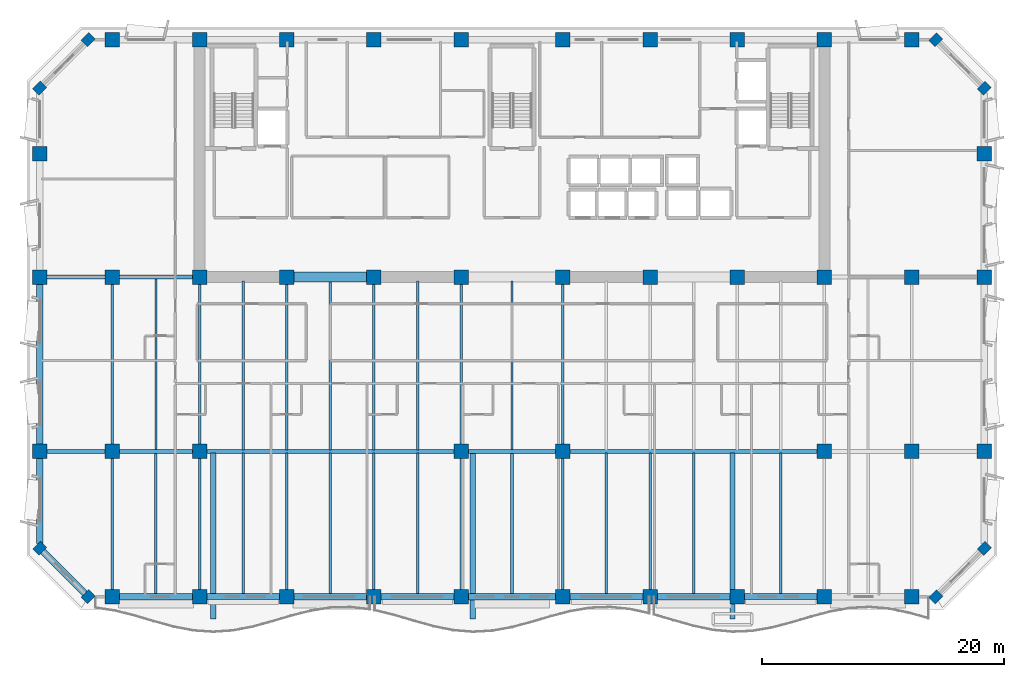
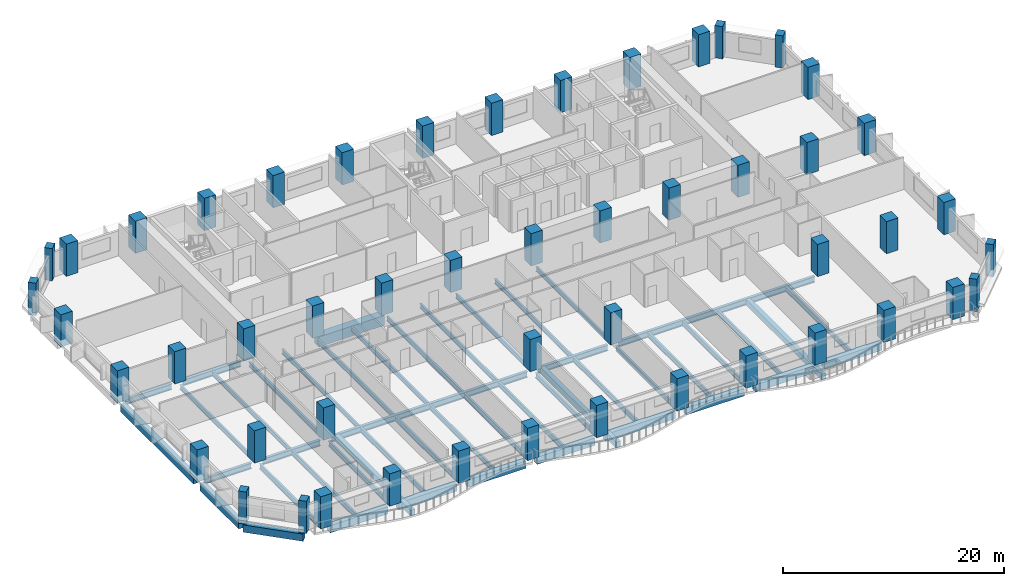
# One storey, part 1 of 15: 50 columns, 48 beams.
"""IFC4 building model written with IfcOpenShell, lengths in metres."""

import ifcopenshell
import ifcopenshell.guid

model = None  # the IFC model being written
_history = None  # IfcOwnerHistory: only IFC2X3 demands one
_inside = {}  # id of a spatial element -> (the spatial element, [elements in it])
_under = {}  # id of a project, library or spatial element -> (it, [spatial elements below it])
_declared = {}  # id of a project -> (the project, [libraries it declares])
_typed = {}  # id of a type object -> (the type object, [elements of that type])
_made_of = {}  # id of a material, layer set ... -> (it, [elements and type objects made of it])


def new_model(schema):
    """Start an empty IFC model of exactly this schema.

    Asked for "IFC4X3", IfcOpenShell would pick the latest addendum, in which some entities
    have other attributes; the version numbers below select the first issue.
    IFC2X3 requires an IfcOwnerHistory on every rooted entity: one is made here for all.
    """
    global model, _history
    if schema == "IFC4X3":
        model = ifcopenshell.file(schema_version=(4, 3, 0, 0))
    else:
        model = ifcopenshell.file(schema=schema)
    _inside.clear()
    _under.clear()
    _declared.clear()
    _typed.clear()
    _made_of.clear()
    _history = None
    if model.schema == "IFC2X3":
        org = make("IfcOrganization", Name="unknown")
        user = make(
            "IfcPersonAndOrganization",
            ThePerson=make("IfcPerson", FamilyName="unknown"),
            TheOrganization=org,
        )
        app = make(
            "IfcApplication",
            ApplicationDeveloper=org,
            Version="unknown",
            ApplicationFullName="unknown",
            ApplicationIdentifier="unknown",
        )
        _history = make(
            "IfcOwnerHistory",
            OwningUser=user,
            OwningApplication=app,
            ChangeAction="ADDED",
            CreationDate=0,
        )
    return model


def make(cls, **values):
    """One entity of the class cls with the attributes given. An attribute that is None is left unset."""
    return model.create_entity(
        cls, **{name: value for name, value in values.items() if value is not None}
    )


def rooted(cls, **values):
    """An entity with a GlobalId (a new one), such as an element, a storey or a relation."""
    return make(cls, GlobalId=ifcopenshell.guid.new(), OwnerHistory=_history, **values)


def si_unit(unit_type, name, prefix=None):
    """IfcSIUnit, for example si_unit("LENGTHUNIT", "METRE", prefix="MILLI")."""
    return make("IfcSIUnit", UnitType=unit_type, Prefix=prefix, Name=name)


def assignment(units):
    """IfcUnitAssignment: the units of a project."""
    return None if units is None else make("IfcUnitAssignment", Units=units)


def point(xyz):
    """IfcCartesianPoint."""
    return None if xyz is None else make("IfcCartesianPoint", Coordinates=xyz)


def direction(xyz):
    """IfcDirection."""
    return None if xyz is None else make("IfcDirection", DirectionRatios=xyz)


def frame(location, z_axis=None, x_axis=None):
    """IfcAxis2Placement3D, a coordinate frame: its origin and axes. An axis left out is left unset."""
    return make(
        "IfcAxis2Placement3D",
        Location=point(location),
        Axis=direction(z_axis),
        RefDirection=direction(x_axis),
    )


def frame_2d(location, x_axis=None):
    """IfcAxis2Placement2D, a coordinate frame in the plane: its origin and x axis."""
    return make(
        "IfcAxis2Placement2D", Location=point(location), RefDirection=direction(x_axis)
    )


def origin():
    """The frame at (0, 0, 0) with its axes left unset."""
    return frame((0.0, 0.0, 0.0))


def origin_2d():
    """The frame at (0, 0) in the plane with its x axis left unset."""
    return frame_2d((0.0, 0.0))


def place(relative_to, where):
    """IfcLocalPlacement: puts the frame where relative to a parent placement (None: the world)."""
    return make(
        "IfcLocalPlacement", PlacementRelTo=relative_to, RelativePlacement=where
    )


def context(
    kind, dimensions, precision=None, world=None, true_north=None, identifier=None
):
    """IfcGeometricRepresentationContext, for example the 3D "Model" context."""
    return make(
        "IfcGeometricRepresentationContext",
        ContextIdentifier=identifier,
        ContextType=kind,
        CoordinateSpaceDimension=dimensions,
        Precision=precision,
        WorldCoordinateSystem=world,
        TrueNorth=true_north,
    )


def subcontext(parent, identifier, kind, view, scale=None):
    """IfcGeometricRepresentationSubContext, for example "Body" below "Model"."""
    return make(
        "IfcGeometricRepresentationSubContext",
        ContextIdentifier=identifier,
        ContextType=kind,
        ParentContext=parent,
        TargetScale=scale,
        TargetView=view,
    )


def project(units=None, contexts=None):
    """IfcProject with its units and contexts."""
    return rooted(
        "IfcProject",
        Name="project",
        RepresentationContexts=contexts,
        UnitsInContext=assignment(units),
    )


def spatial(cls, under=None, at=None, **own):
    """A site, building, storey or space (cls), placed at a placement, below another one or the project."""
    s = rooted(cls, ObjectPlacement=at, **own)
    if under is not None:
        _under.setdefault(under.id(), (under, []))[1].append(s)
    return s


def profile(cls, at=None, kind="AREA", **sizes):
    """A parametric profile (cls). Its sizes go by their IFC names, for example OverallWidth=200.0."""
    return make(cls, ProfileType=kind, Position=at, **sizes)


def rectangle(**sizes):
    """IfcRectangleProfileDef."""
    return profile("IfcRectangleProfileDef", **sizes)


def i_section(**sizes):
    """IfcIShapeProfileDef."""
    return profile("IfcIShapeProfileDef", **sizes)


def extrude(swept, where, along, depth):
    """IfcExtrudedAreaSolid: the profile swept, set in the frame where, extruded along a direction by depth."""
    return make(
        "IfcExtrudedAreaSolid",
        SweptArea=swept,
        Position=where,
        ExtrudedDirection=direction(along),
        Depth=depth,
    )


def shape(context_of_items, identifier, shape_type, items):
    """IfcShapeRepresentation: the items that make up one representation, for example the "Body"."""
    return make(
        "IfcShapeRepresentation",
        ContextOfItems=context_of_items,
        RepresentationIdentifier=identifier,
        RepresentationType=shape_type,
        Items=items,
    )


def material(Name=None, Category=None):
    """IfcMaterial."""
    return make("IfcMaterial", Name=Name, Category=Category)


def material_profile(
    of_material, cross_section, Name=None, Category=None, Priority=None
):
    """IfcMaterialProfile: a cross section and its material."""
    return make(
        "IfcMaterialProfile",
        Name=Name,
        Material=of_material,
        Profile=cross_section,
        Priority=Priority,
        Category=Category,
    )


def profile_set(profiles, Name=None, composite=None):
    """IfcMaterialProfileSet."""
    return make(
        "IfcMaterialProfileSet",
        Name=Name,
        MaterialProfiles=profiles,
        CompositeProfile=composite,
    )


def made_of(thing, what):
    """Note that an element or type object is made of a material, layer set ...; save() writes the relation."""
    if what is not None:
        _made_of.setdefault(what.id(), (what, []))[1].append(thing)
    return thing


def type_object(cls, material=None, **own):
    """A type object (cls), such as IfcWallType, which elements share."""
    return made_of(rooted(cls, **own), material)


def element(
    cls,
    number,
    at=None,
    inside=None,
    cuts=None,
    type_object=None,
    material=None,
    context=None,
    identifier="Body",
    shape_type=None,
    held_by="IfcProductDefinitionShape",
    body=None,
    shapes=None,
    **own,
):
    """One element of the class cls, such as IfcWall. Its Tag is "e" and its number.

    at: its placement. inside: the storey or other place that contains it. cuts: it is an
    opening in that element (IfcRelVoidsElement). A single representation is given by context,
    identifier, shape_type and body (its items); several are given by shapes. held_by: the class
    of the entity that holds the representations. save() writes the other relations.
    """
    e = rooted(cls, Tag="e%d" % number, ObjectPlacement=at, **own)
    if body is not None:
        shapes = [shape(context, identifier, shape_type, body)]
    if shapes is not None:
        e.Representation = make(held_by, Representations=shapes)
    if inside is not None:
        _inside.setdefault(inside.id(), (inside, []))[1].append(e)
    if cuts is not None:
        rooted(
            "IfcRelVoidsElement", RelatingBuildingElement=cuts, RelatedOpeningElement=e
        )
    if type_object is not None:
        _typed.setdefault(type_object.id(), (type_object, []))[1].append(e)
    return made_of(e, material)


def aggregate(whole, parts):
    """IfcRelAggregates: a whole, such as a stair, and the parts it consists of."""
    return rooted("IfcRelAggregates", RelatingObject=whole, RelatedObjects=parts)


def save(model, path):
    """Write the relations noted so far, then the file.

    IfcRelAggregates (storeys below a building ...), IfcRelContainedInSpatialStructure (elements
    in a storey), IfcRelDefinesByType, IfcRelAssociatesMaterial and IfcRelDeclares: one each for
    every whole, place, type object, material and project.
    """
    for whole, parts in _under.values():
        aggregate(whole, parts)
    for where, things in _inside.values():
        rooted(
            "IfcRelContainedInSpatialStructure",
            RelatedElements=things,
            RelatingStructure=where,
        )
    for kind, things in _typed.values():
        rooted("IfcRelDefinesByType", RelatedObjects=things, RelatingType=kind)
    for what, things in _made_of.values():
        rooted("IfcRelAssociatesMaterial", RelatedObjects=things, RelatingMaterial=what)
    for by, libraries in _declared.values():
        rooted("IfcRelDeclares", RelatingContext=by, RelatedDefinitions=libraries)
    model.write(path)


model = new_model("IFC4")

# Units and contexts
model_context = context("Model", 3, precision=1e-05, world=origin(), true_north=direction((0.0, 1.0)))
body_context = subcontext(model_context, "Body", "Model", "MODEL_VIEW")
ifc_project = project(units=[si_unit("LENGTHUNIT", "METRE"), si_unit("AREAUNIT", "SQUARE_METRE"), si_unit("VOLUMEUNIT", "CUBIC_METRE"), si_unit("PLANEANGLEUNIT", "RADIAN"), si_unit("MASSUNIT", "GRAM", prefix="KILO")], contexts=[model_context])

# Site, building, storey
site_placement = place(None, origin())
site = spatial("IfcSite", under=ifc_project, at=site_placement, CompositionType="ELEMENT")
building_placement = place(site_placement, origin())
building = spatial("IfcBuilding", under=site, at=building_placement, Name="Kaelvorn Grand Hotel", CompositionType="ELEMENT")
storey_placement = place(building_placement, frame((0.0, 0.0, 173.35009765625)))
storey = spatial("IfcBuildingStorey", under=building, at=storey_placement, Name="L42", CompositionType="ELEMENT", Elevation=173.35009765625)

# Columns
ifc_material_1 = material(Name="Concrete C60/75", Category="concrete")
ifc_material_profile_1 = material_profile(ifc_material_1, rectangle(XDim=0.89990234375, YDim=0.75, at=origin_2d()), Name="RC PILASTER 900x750")
ifc_profile_set_1 = profile_set([ifc_material_profile_1], Name="Concrete C60/75")
column_type_1 = type_object("IfcColumnType", Name="COL-PIL-900x750-C60", PredefinedType="PILASTER", material=ifc_profile_set_1)
for number, where, z_axis, x_axis, name in (
    (1, (7.0, 3.0, 0.0), (0.0, 0.0, 1.0), (0.707106781187, 0.707106781187, 0.0), "L42 Structural Column CH-01"),
    (2, (77.0, 3.0, 0.0), (0.0, 0.0, 1.0), (0.707106781187, 0.707106781187, 0.0), "L42 Structural Column CH-02"),
    (3, (81.0, 7.0, 0.0), (0.0, 0.0, 1.0), (0.707106781187, 0.707106781187, 0.0), "L42 Structural Column CH-03"),
    (4, (81.0, 45.0, 0.0), (0.0, 0.0, 1.0), (0.707106781187, 0.707106781187, 0.0), "L42 Structural Column CH-04"),
    (5, (77.0, 49.0, 0.0), (0.0, 0.0, 1.0), (0.707106781187, 0.707106781187, 0.0), "L42 Structural Column CH-05"),
    (6, (7.0, 49.0, 0.0), (0.0, 0.0, 1.0), (0.707106781187, 0.707106781187, 0.0), "L42 Structural Column CH-06"),
    (7, (3.0, 45.0, 0.0), (0.0, 0.0, 1.0), (0.707106781187, 0.707106781187, 0.0), "L42 Structural Column CH-07"),
    (8, (3.0, 7.0, 0.0), (0.0, 0.0, 1.0), (0.707106781187, 0.707106781187, 0.0), "L42 Structural Column CH-08"),
):
    element("IfcColumn", number, at=place(storey_placement, frame(where, z_axis=z_axis, x_axis=x_axis)), inside=storey, type_object=column_type_1, Name=name, PredefinedType="PILASTER", context=body_context, shape_type="SweptSolid", body=[
        extrude(rectangle(XDim=0.89990234375, YDim=0.75, at=origin_2d()), origin(), (0.0, 0.0, 1.0), 3.559814453125),
    ])
ifc_material_profile_2 = material_profile(ifc_material_1, rectangle(XDim=1.199951171875, YDim=1.199951171875, at=origin_2d()), Name="RC COL 1200x1200")
ifc_profile_set_2 = profile_set([ifc_material_profile_2], Name="Concrete C60/75")
column_type_2 = type_object("IfcColumnType", Name="COL-RC-1200-C60", PredefinedType="COLUMN", material=ifc_profile_set_2)
for number, where, z_axis, x_axis, name in (
    (9, (9.0, 3.0, 0.0), (0.0, 0.0, 1.0), (1.0, 0.0, 0.0), "L42 Structural Column S-01"),
    (10, (16.199951171875, 3.0, 0.0), (0.0, 0.0, 1.0), (1.0, 0.0, 0.0), "L42 Structural Column S-02"),
    (11, (23.39990234375, 3.0, 0.0), (0.0, 0.0, 1.0), (1.0, 0.0, 0.0), "L42 Structural Column S-03"),
    (12, (30.60009765625, 3.0, 0.0), (0.0, 0.0, 1.0), (1.0, 0.0, 0.0), "L42 Structural Column S-04"),
    (13, (37.800048828125, 3.0, 0.0), (0.0, 0.0, 1.0), (1.0, 0.0, 0.0), "L42 Structural Column S-05"),
    (14, (46.199951171875, 3.0, 0.0), (0.0, 0.0, 1.0), (1.0, 0.0, 0.0), "L42 Structural Column S-06"),
    (15, (53.39990234375, 3.0, 0.0), (0.0, 0.0, 1.0), (1.0, 0.0, 0.0), "L42 Structural Column S-07"),
    (16, (60.60009765625, 3.0, 0.0), (0.0, 0.0, 1.0), (1.0, 0.0, 0.0), "L42 Structural Column S-08"),
    (17, (67.800048828125, 3.0, 0.0), (0.0, 0.0, 1.0), (1.0, 0.0, 0.0), "L42 Structural Column S-09"),
    (18, (75.0, 3.0, 0.0), (0.0, 0.0, 1.0), (1.0, 0.0, 0.0), "L42 Structural Column S-10"),
    (19, (3.0, 15.0, 0.0), (0.0, 0.0, 1.0), (1.0, 0.0, 0.0), "L42 Structural Column W-01"),
    (20, (81.0, 15.0, 0.0), (0.0, 0.0, 1.0), (1.0, 0.0, 0.0), "L42 Structural Column E-01"),
    (21, (3.0, 29.39990234375, 0.0), (0.0, 0.0, 1.0), (1.0, 0.0, 0.0), "L42 Structural Column W-02"),
    (22, (81.0, 29.39990234375, 0.0), (0.0, 0.0, 1.0), (1.0, 0.0, 0.0), "L42 Structural Column E-02"),
    (23, (3.0, 39.60009765625, 0.0), (0.0, 0.0, 1.0), (1.0, 0.0, 0.0), "L42 Structural Column W-03"),
    (24, (81.0, 39.60009765625, 0.0), (0.0, 0.0, 1.0), (1.0, 0.0, 0.0), "L42 Structural Column E-03"),
    (25, (9.0, 15.0, 0.0), (0.0, 0.0, 1.0), (1.0, 0.0, 0.0), "L42 Structural Column M-01"),
    (26, (16.199951171875, 15.0, 0.0), (0.0, 0.0, 1.0), (1.0, 0.0, 0.0), "L42 Structural Column M-02"),
    (27, (37.800048828125, 15.0, 0.0), (0.0, 0.0, 1.0), (1.0, 0.0, 0.0), "L42 Structural Column M-03"),
    (28, (46.199951171875, 15.0, 0.0), (0.0, 0.0, 1.0), (1.0, 0.0, 0.0), "L42 Structural Column M-04"),
    (29, (67.800048828125, 15.0, 0.0), (0.0, 0.0, 1.0), (1.0, 0.0, 0.0), "L42 Structural Column M-05"),
    (30, (75.0, 15.0, 0.0), (0.0, 0.0, 1.0), (1.0, 0.0, 0.0), "L42 Structural Column M-06"),
    (31, (9.0, 29.39990234375, 0.0), (0.0, 0.0, 1.0), (1.0, 0.0, 0.0), "L42 Structural Column CR1-01"),
    (32, (9.0, 49.0, 0.0), (0.0, 0.0, 1.0), (1.0, 0.0, 0.0), "L42 Structural Column CR2-01"),
    (33, (16.199951171875, 29.39990234375, 0.0), (0.0, 0.0, 1.0), (1.0, 0.0, 0.0), "L42 Structural Column CR1-02"),
    (34, (16.199951171875, 49.0, 0.0), (0.0, 0.0, 1.0), (1.0, 0.0, 0.0), "L42 Structural Column CR2-02"),
    (35, (23.39990234375, 29.39990234375, 0.0), (0.0, 0.0, 1.0), (1.0, 0.0, 0.0), "L42 Structural Column CR1-03"),
    (36, (23.39990234375, 49.0, 0.0), (0.0, 0.0, 1.0), (1.0, 0.0, 0.0), "L42 Structural Column CR2-03"),
    (37, (30.60009765625, 29.39990234375, 0.0), (0.0, 0.0, 1.0), (1.0, 0.0, 0.0), "L42 Structural Column CR1-04"),
    (38, (30.60009765625, 49.0, 0.0), (0.0, 0.0, 1.0), (1.0, 0.0, 0.0), "L42 Structural Column CR2-04"),
    (39, (37.800048828125, 29.39990234375, 0.0), (0.0, 0.0, 1.0), (1.0, 0.0, 0.0), "L42 Structural Column CR1-05"),
    (40, (37.800048828125, 49.0, 0.0), (0.0, 0.0, 1.0), (1.0, 0.0, 0.0), "L42 Structural Column CR2-05"),
    (41, (46.199951171875, 29.39990234375, 0.0), (0.0, 0.0, 1.0), (1.0, 0.0, 0.0), "L42 Structural Column CR1-06"),
    (42, (46.199951171875, 49.0, 0.0), (0.0, 0.0, 1.0), (1.0, 0.0, 0.0), "L42 Structural Column CR2-06"),
    (43, (53.39990234375, 29.39990234375, 0.0), (0.0, 0.0, 1.0), (1.0, 0.0, 0.0), "L42 Structural Column CR1-07"),
    (44, (53.39990234375, 49.0, 0.0), (0.0, 0.0, 1.0), (1.0, 0.0, 0.0), "L42 Structural Column CR2-07"),
    (45, (60.60009765625, 29.39990234375, 0.0), (0.0, 0.0, 1.0), (1.0, 0.0, 0.0), "L42 Structural Column CR1-08"),
    (46, (60.60009765625, 49.0, 0.0), (0.0, 0.0, 1.0), (1.0, 0.0, 0.0), "L42 Structural Column CR2-08"),
    (47, (67.800048828125, 29.39990234375, 0.0), (0.0, 0.0, 1.0), (1.0, 0.0, 0.0), "L42 Structural Column CR1-09"),
    (48, (67.800048828125, 49.0, 0.0), (0.0, 0.0, 1.0), (1.0, 0.0, 0.0), "L42 Structural Column CR2-09"),
    (49, (75.0, 29.39990234375, 0.0), (0.0, 0.0, 1.0), (1.0, 0.0, 0.0), "L42 Structural Column CR1-10"),
    (50, (75.0, 49.0, 0.0), (0.0, 0.0, 1.0), (1.0, 0.0, 0.0), "L42 Structural Column CR2-10"),
):
    element("IfcColumn", number, at=place(storey_placement, frame(where, z_axis=z_axis, x_axis=x_axis)), inside=storey, type_object=column_type_2, Name=name, PredefinedType="COLUMN", context=body_context, shape_type="SweptSolid", body=[
        extrude(rectangle(XDim=1.199951171875, YDim=1.199951171875, at=origin_2d()), origin(), (0.0, 0.0, 1.0), 3.559814453125),
    ])

# Beams
ifc_material_2 = material(Name="Steel S355", Category="steel")
ifc_material_profile_3 = material_profile(ifc_material_2, i_section(OverallWidth=0.300048828125, OverallDepth=0.64990234375, WebThickness=0.01611328125, FlangeThickness=0.031005859375, FilletRadius=0.027099609375, at=origin_2d()), Name="HEB 650")
ifc_profile_set_3 = profile_set([ifc_material_profile_3], Name="Steel S355")
beam_type_1 = type_object("IfcBeamType", Name="BM-G-HEB650-S355", PredefinedType="BEAM", material=ifc_profile_set_3)
beam_1_placement = place(storey_placement, frame((3.5849609375, 15.0, -0.565185546875), z_axis=(1.0, 0.0, 0.0), x_axis=(0.0, 1.0, 0.0)))
element("IfcBeam", 51, at=beam_1_placement, inside=storey, type_object=beam_type_1, Name="L42 Primary Spine Steel Girder G-15 01", PredefinedType="BEAM", context=body_context, shape_type="SweptSolid", body=[
    extrude(i_section(OverallWidth=0.300048828125, OverallDepth=0.64990234375, WebThickness=0.01611328125, FlangeThickness=0.031005859375, FilletRadius=0.027099609375, at=origin_2d()), origin(), (0.0, 0.0, 1.0), 4.830078125),
])
beam_2_placement = place(storey_placement, frame((9.5849609375, 15.0, -0.565185546875), z_axis=(1.0, 0.0, 0.0), x_axis=(0.0, 1.0, 0.0)))
element("IfcBeam", 52, at=beam_2_placement, inside=storey, type_object=beam_type_1, Name="L42 Primary Spine Steel Girder G-15 02", PredefinedType="BEAM", context=body_context, shape_type="SweptSolid", body=[
    extrude(i_section(OverallWidth=0.300048828125, OverallDepth=0.64990234375, WebThickness=0.01611328125, FlangeThickness=0.031005859375, FilletRadius=0.027099609375, at=origin_2d()), origin(), (0.0, 0.0, 1.0), 6.030029296875),
])
beam_3_placement = place(storey_placement, frame((16.784912109375, 15.0, -0.565185546875), z_axis=(1.0, 0.0, 0.0), x_axis=(0.0, 1.0, 0.0)))
element("IfcBeam", 53, at=beam_3_placement, inside=storey, type_object=beam_type_1, Name="L42 Primary Spine Steel Girder G-15 03", PredefinedType="BEAM", context=body_context, shape_type="SweptSolid", body=[
    extrude(i_section(OverallWidth=0.300048828125, OverallDepth=0.64990234375, WebThickness=0.01611328125, FlangeThickness=0.031005859375, FilletRadius=0.027099609375, at=origin_2d()), origin(), (0.0, 0.0, 1.0), 20.43017578125),
])
beam_4_placement = place(storey_placement, frame((38.385009765625, 15.0, -0.565185546875), z_axis=(1.0, 0.0, 0.0), x_axis=(0.0, 1.0, 0.0)))
element("IfcBeam", 54, at=beam_4_placement, inside=storey, type_object=beam_type_1, Name="L42 Primary Spine Steel Girder G-15 04", PredefinedType="BEAM", context=body_context, shape_type="SweptSolid", body=[
    extrude(i_section(OverallWidth=0.300048828125, OverallDepth=0.64990234375, WebThickness=0.01611328125, FlangeThickness=0.031005859375, FilletRadius=0.027099609375, at=origin_2d()), origin(), (0.0, 0.0, 1.0), 7.22998046875),
])
beam_5_placement = place(storey_placement, frame((46.784912109375, 15.0, -0.565185546875), z_axis=(1.0, 0.0, 0.0), x_axis=(0.0, 1.0, 0.0)))
element("IfcBeam", 55, at=beam_5_placement, inside=storey, type_object=beam_type_1, Name="L42 Primary Spine Steel Girder G-15 05", PredefinedType="BEAM", context=body_context, shape_type="SweptSolid", body=[
    extrude(i_section(OverallWidth=0.300048828125, OverallDepth=0.64990234375, WebThickness=0.01611328125, FlangeThickness=0.031005859375, FilletRadius=0.027099609375, at=origin_2d()), origin(), (0.0, 0.0, 1.0), 20.43017578125),
])
beam_6_placement = place(storey_placement, frame((3.5849609375, 29.39990234375, -0.565185546875), z_axis=(1.0, 0.0, 0.0), x_axis=(0.0, 1.0, 0.0)))
element("IfcBeam", 56, at=beam_6_placement, inside=storey, type_object=beam_type_1, Name="L42 West Core Wing Steel Girder G-29W 01", PredefinedType="BEAM", context=body_context, shape_type="SweptSolid", body=[
    extrude(i_section(OverallWidth=0.300048828125, OverallDepth=0.64990234375, WebThickness=0.01611328125, FlangeThickness=0.031005859375, FilletRadius=0.027099609375, at=origin_2d()), origin(), (0.0, 0.0, 1.0), 4.830078125),
])
beam_7_placement = place(storey_placement, frame((9.5849609375, 29.39990234375, -0.565185546875), z_axis=(1.0, 0.0, 0.0), x_axis=(0.0, 1.0, 0.0)))
element("IfcBeam", 57, at=beam_7_placement, inside=storey, type_object=beam_type_1, Name="L42 West Core Wing Steel Girder G-29W 02", PredefinedType="BEAM", context=body_context, shape_type="SweptSolid", body=[
    extrude(i_section(OverallWidth=0.300048828125, OverallDepth=0.64990234375, WebThickness=0.01611328125, FlangeThickness=0.031005859375, FilletRadius=0.027099609375, at=origin_2d()), origin(), (0.0, 0.0, 1.0), 6.030029296875),
])
ifc_material_profile_4 = material_profile(ifc_material_2, i_section(OverallWidth=0.199951171875, OverallDepth=0.5, WebThickness=0.01025390625, FlangeThickness=0.01611328125, FilletRadius=0.02099609375, at=origin_2d()), Name="IPE 500")
ifc_profile_set_4 = profile_set([ifc_material_profile_4], Name="Steel S355")
beam_type_2 = type_object("IfcBeamType", Name="BM-J-IPE500-S355", PredefinedType="JOIST", material=ifc_profile_set_4)
beam_8_placement = place(storey_placement, frame((9.0, 15.5849609375, -0.489990234375), z_axis=(0.0, 1.0, 0.0), x_axis=(-1.0, 0.0, 0.0)))
element("IfcBeam", 58, at=beam_8_placement, inside=storey, type_object=beam_type_2, Name="L42 Composite Floor Joist JM-03", PredefinedType="JOIST", context=body_context, shape_type="SweptSolid", body=[
    extrude(i_section(OverallWidth=0.199951171875, OverallDepth=0.5, WebThickness=0.01025390625, FlangeThickness=0.01611328125, FilletRadius=0.02099609375, at=origin_2d()), origin(), (0.0, 0.0, 1.0), 13.22998046875),
])
beam_9_placement = place(storey_placement, frame((12.60009765625, 15.135009765625, -0.489990234375), z_axis=(0.0, 1.0, 0.0), x_axis=(-1.0, 0.0, 0.0)))
element("IfcBeam", 59, at=beam_9_placement, inside=storey, type_object=beam_type_2, Name="L42 Composite Floor Joist JM-04", PredefinedType="JOIST", context=body_context, shape_type="SweptSolid", body=[
    extrude(i_section(OverallWidth=0.199951171875, OverallDepth=0.5, WebThickness=0.01025390625, FlangeThickness=0.01611328125, FilletRadius=0.02099609375, at=origin_2d()), origin(), (0.0, 0.0, 1.0), 14.1298828125),
])
beam_10_placement = place(storey_placement, frame((16.199951171875, 15.5849609375, -0.489990234375), z_axis=(0.0, 1.0, 0.0), x_axis=(-1.0, 0.0, 0.0)))
element("IfcBeam", 60, at=beam_10_placement, inside=storey, type_object=beam_type_2, Name="L42 Composite Floor Joist JM-05", PredefinedType="JOIST", context=body_context, shape_type="SweptSolid", body=[
    extrude(i_section(OverallWidth=0.199951171875, OverallDepth=0.5, WebThickness=0.01025390625, FlangeThickness=0.01611328125, FilletRadius=0.02099609375, at=origin_2d()), origin(), (0.0, 0.0, 1.0), 13.22998046875),
])
beam_11_placement = place(storey_placement, frame((19.800048828125, 15.135009765625, -0.489990234375), z_axis=(0.0, 1.0, 0.0), x_axis=(-1.0, 0.0, 0.0)))
element("IfcBeam", 61, at=beam_11_placement, inside=storey, type_object=beam_type_2, Name="L42 Composite Floor Joist JM-06", PredefinedType="JOIST", context=body_context, shape_type="SweptSolid", body=[
    extrude(i_section(OverallWidth=0.199951171875, OverallDepth=0.5, WebThickness=0.01025390625, FlangeThickness=0.01611328125, FilletRadius=0.02099609375, at=origin_2d()), origin(), (0.0, 0.0, 1.0), 13.925048828125),
])
beam_12_placement = place(storey_placement, frame((23.39990234375, 15.135009765625, -0.489990234375), z_axis=(0.0, 1.0, 0.0), x_axis=(-1.0, 0.0, 0.0)))
element("IfcBeam", 62, at=beam_12_placement, inside=storey, type_object=beam_type_2, Name="L42 Composite Floor Joist JM-07", PredefinedType="JOIST", context=body_context, shape_type="SweptSolid", body=[
    extrude(i_section(OverallWidth=0.199951171875, OverallDepth=0.5, WebThickness=0.01025390625, FlangeThickness=0.01611328125, FilletRadius=0.02099609375, at=origin_2d()), origin(), (0.0, 0.0, 1.0), 13.679931640625),
])
beam_13_placement = place(storey_placement, frame((27.0, 15.135009765625, -0.489990234375), z_axis=(0.0, 1.0, 0.0), x_axis=(-1.0, 0.0, 0.0)))
element("IfcBeam", 63, at=beam_13_placement, inside=storey, type_object=beam_type_2, Name="L42 Composite Floor Joist JM-08", PredefinedType="JOIST", context=body_context, shape_type="SweptSolid", body=[
    extrude(i_section(OverallWidth=0.199951171875, OverallDepth=0.5, WebThickness=0.01025390625, FlangeThickness=0.01611328125, FilletRadius=0.02099609375, at=origin_2d()), origin(), (0.0, 0.0, 1.0), 13.925048828125),
])
beam_14_placement = place(storey_placement, frame((30.60009765625, 15.135009765625, -0.489990234375), z_axis=(0.0, 1.0, 0.0), x_axis=(-1.0, 0.0, 0.0)))
element("IfcBeam", 64, at=beam_14_placement, inside=storey, type_object=beam_type_2, Name="L42 Composite Floor Joist JM-09", PredefinedType="JOIST", context=body_context, shape_type="SweptSolid", body=[
    extrude(i_section(OverallWidth=0.199951171875, OverallDepth=0.5, WebThickness=0.01025390625, FlangeThickness=0.01611328125, FilletRadius=0.02099609375, at=origin_2d()), origin(), (0.0, 0.0, 1.0), 13.679931640625),
])
beam_15_placement = place(storey_placement, frame((34.199951171875, 15.135009765625, -0.489990234375), z_axis=(0.0, 1.0, 0.0), x_axis=(-1.0, 0.0, 0.0)))
element("IfcBeam", 65, at=beam_15_placement, inside=storey, type_object=beam_type_2, Name="L42 Composite Floor Joist JM-10", PredefinedType="JOIST", context=body_context, shape_type="SweptSolid", body=[
    extrude(i_section(OverallWidth=0.199951171875, OverallDepth=0.5, WebThickness=0.01025390625, FlangeThickness=0.01611328125, FilletRadius=0.02099609375, at=origin_2d()), origin(), (0.0, 0.0, 1.0), 13.925048828125),
])
beam_16_placement = place(storey_placement, frame((37.800048828125, 15.5849609375, -0.489990234375), z_axis=(0.0, 1.0, 0.0), x_axis=(-1.0, 0.0, 0.0)))
element("IfcBeam", 66, at=beam_16_placement, inside=storey, type_object=beam_type_2, Name="L42 Composite Floor Joist JM-11", PredefinedType="JOIST", context=body_context, shape_type="SweptSolid", body=[
    extrude(i_section(OverallWidth=0.199951171875, OverallDepth=0.5, WebThickness=0.01025390625, FlangeThickness=0.01611328125, FilletRadius=0.02099609375, at=origin_2d()), origin(), (0.0, 0.0, 1.0), 13.22998046875),
])
beam_17_placement = place(storey_placement, frame((42.0, 15.135009765625, -0.489990234375), z_axis=(0.0, 1.0, 0.0), x_axis=(-1.0, 0.0, 0.0)))
element("IfcBeam", 67, at=beam_17_placement, inside=storey, type_object=beam_type_2, Name="L42 Composite Floor Joist JM-12", PredefinedType="JOIST", context=body_context, shape_type="SweptSolid", body=[
    extrude(i_section(OverallWidth=0.199951171875, OverallDepth=0.5, WebThickness=0.01025390625, FlangeThickness=0.01611328125, FilletRadius=0.02099609375, at=origin_2d()), origin(), (0.0, 0.0, 1.0), 13.925048828125),
])
beam_18_placement = place(storey_placement, frame((46.199951171875, 15.5849609375, -0.489990234375), z_axis=(0.0, 1.0, 0.0), x_axis=(-1.0, 0.0, 0.0)))
element("IfcBeam", 68, at=beam_18_placement, inside=storey, type_object=beam_type_2, Name="L42 Composite Floor Joist JM-13", PredefinedType="JOIST", context=body_context, shape_type="SweptSolid", body=[
    extrude(i_section(OverallWidth=0.199951171875, OverallDepth=0.5, WebThickness=0.01025390625, FlangeThickness=0.01611328125, FilletRadius=0.02099609375, at=origin_2d()), origin(), (0.0, 0.0, 1.0), 13.22998046875),
])
ifc_material_profile_5 = material_profile(ifc_material_2, i_section(OverallWidth=0.2099609375, OverallDepth=0.550048828125, WebThickness=0.010986328125, FlangeThickness=0.01708984375, FilletRadius=0.02392578125, at=origin_2d()), Name="IPE 550")
ifc_profile_set_5 = profile_set([ifc_material_profile_5], Name="Steel S355")
beam_type_3 = type_object("IfcBeamType", Name="BM-J-IPE550-S355", PredefinedType="JOIST", material=ifc_profile_set_5)
beam_19_placement = place(storey_placement, frame((9.0, 3.5849609375, -0.51513671875), z_axis=(0.0, 1.0, 0.0), x_axis=(-1.0, 0.0, 0.0)))
element("IfcBeam", 69, at=beam_19_placement, inside=storey, type_object=beam_type_3, Name="L42 Composite Floor Joist JS-03", PredefinedType="JOIST", context=body_context, shape_type="SweptSolid", body=[
    extrude(i_section(OverallWidth=0.2099609375, OverallDepth=0.550048828125, WebThickness=0.010986328125, FlangeThickness=0.01708984375, FilletRadius=0.02392578125, at=origin_2d()), origin(), (0.0, 0.0, 1.0), 10.830078125),
])
beam_20_placement = place(storey_placement, frame((12.60009765625, 3.260009765625, -0.51513671875), z_axis=(0.0, 1.0, 0.0), x_axis=(-1.0, 0.0, 0.0)))
element("IfcBeam", 70, at=beam_20_placement, inside=storey, type_object=beam_type_3, Name="L42 Composite Floor Joist JS-04", PredefinedType="JOIST", context=body_context, shape_type="SweptSolid", body=[
    extrude(i_section(OverallWidth=0.2099609375, OverallDepth=0.550048828125, WebThickness=0.010986328125, FlangeThickness=0.01708984375, FilletRadius=0.02392578125, at=origin_2d()), origin(), (0.0, 0.0, 1.0), 11.60498046875),
])
beam_21_placement = place(storey_placement, frame((16.199951171875, 3.5849609375, -0.51513671875), z_axis=(0.0, 1.0, 0.0), x_axis=(-1.0, 0.0, 0.0)))
element("IfcBeam", 71, at=beam_21_placement, inside=storey, type_object=beam_type_3, Name="L42 Composite Floor Joist JS-05", PredefinedType="JOIST", context=body_context, shape_type="SweptSolid", body=[
    extrude(i_section(OverallWidth=0.2099609375, OverallDepth=0.550048828125, WebThickness=0.010986328125, FlangeThickness=0.01708984375, FilletRadius=0.02392578125, at=origin_2d()), origin(), (0.0, 0.0, 1.0), 10.830078125),
])
beam_22_placement = place(storey_placement, frame((19.800048828125, 3.260009765625, -0.51513671875), z_axis=(0.0, 1.0, 0.0), x_axis=(-1.0, 0.0, 0.0)))
element("IfcBeam", 72, at=beam_22_placement, inside=storey, type_object=beam_type_3, Name="L42 Composite Floor Joist JS-06", PredefinedType="JOIST", context=body_context, shape_type="SweptSolid", body=[
    extrude(i_section(OverallWidth=0.2099609375, OverallDepth=0.550048828125, WebThickness=0.010986328125, FlangeThickness=0.01708984375, FilletRadius=0.02392578125, at=origin_2d()), origin(), (0.0, 0.0, 1.0), 11.60498046875),
])
beam_23_placement = place(storey_placement, frame((23.39990234375, 3.5849609375, -0.51513671875), z_axis=(0.0, 1.0, 0.0), x_axis=(-1.0, 0.0, 0.0)))
element("IfcBeam", 73, at=beam_23_placement, inside=storey, type_object=beam_type_3, Name="L42 Composite Floor Joist JS-07", PredefinedType="JOIST", context=body_context, shape_type="SweptSolid", body=[
    extrude(i_section(OverallWidth=0.2099609375, OverallDepth=0.550048828125, WebThickness=0.010986328125, FlangeThickness=0.01708984375, FilletRadius=0.02392578125, at=origin_2d()), origin(), (0.0, 0.0, 1.0), 11.280029296875),
])
beam_24_placement = place(storey_placement, frame((27.0, 3.260009765625, -0.51513671875), z_axis=(0.0, 1.0, 0.0), x_axis=(-1.0, 0.0, 0.0)))
element("IfcBeam", 74, at=beam_24_placement, inside=storey, type_object=beam_type_3, Name="L42 Composite Floor Joist JS-08", PredefinedType="JOIST", context=body_context, shape_type="SweptSolid", body=[
    extrude(i_section(OverallWidth=0.2099609375, OverallDepth=0.550048828125, WebThickness=0.010986328125, FlangeThickness=0.01708984375, FilletRadius=0.02392578125, at=origin_2d()), origin(), (0.0, 0.0, 1.0), 11.60498046875),
])
beam_25_placement = place(storey_placement, frame((30.60009765625, 3.5849609375, -0.51513671875), z_axis=(0.0, 1.0, 0.0), x_axis=(-1.0, 0.0, 0.0)))
element("IfcBeam", 75, at=beam_25_placement, inside=storey, type_object=beam_type_3, Name="L42 Composite Floor Joist JS-09", PredefinedType="JOIST", context=body_context, shape_type="SweptSolid", body=[
    extrude(i_section(OverallWidth=0.2099609375, OverallDepth=0.550048828125, WebThickness=0.010986328125, FlangeThickness=0.01708984375, FilletRadius=0.02392578125, at=origin_2d()), origin(), (0.0, 0.0, 1.0), 11.280029296875),
])
beam_26_placement = place(storey_placement, frame((34.199951171875, 3.260009765625, -0.51513671875), z_axis=(0.0, 1.0, 0.0), x_axis=(-1.0, 0.0, 0.0)))
element("IfcBeam", 76, at=beam_26_placement, inside=storey, type_object=beam_type_3, Name="L42 Composite Floor Joist JS-10", PredefinedType="JOIST", context=body_context, shape_type="SweptSolid", body=[
    extrude(i_section(OverallWidth=0.2099609375, OverallDepth=0.550048828125, WebThickness=0.010986328125, FlangeThickness=0.01708984375, FilletRadius=0.02392578125, at=origin_2d()), origin(), (0.0, 0.0, 1.0), 11.60498046875),
])
beam_27_placement = place(storey_placement, frame((37.800048828125, 3.5849609375, -0.51513671875), z_axis=(0.0, 1.0, 0.0), x_axis=(-1.0, 0.0, 0.0)))
element("IfcBeam", 77, at=beam_27_placement, inside=storey, type_object=beam_type_3, Name="L42 Composite Floor Joist JS-11", PredefinedType="JOIST", context=body_context, shape_type="SweptSolid", body=[
    extrude(i_section(OverallWidth=0.2099609375, OverallDepth=0.550048828125, WebThickness=0.010986328125, FlangeThickness=0.01708984375, FilletRadius=0.02392578125, at=origin_2d()), origin(), (0.0, 0.0, 1.0), 10.830078125),
])
beam_28_placement = place(storey_placement, frame((42.0, 3.260009765625, -0.51513671875), z_axis=(0.0, 1.0, 0.0), x_axis=(-1.0, 0.0, 0.0)))
element("IfcBeam", 78, at=beam_28_placement, inside=storey, type_object=beam_type_3, Name="L42 Composite Floor Joist JS-12", PredefinedType="JOIST", context=body_context, shape_type="SweptSolid", body=[
    extrude(i_section(OverallWidth=0.2099609375, OverallDepth=0.550048828125, WebThickness=0.010986328125, FlangeThickness=0.01708984375, FilletRadius=0.02392578125, at=origin_2d()), origin(), (0.0, 0.0, 1.0), 11.60498046875),
])
beam_29_placement = place(storey_placement, frame((46.199951171875, 3.5849609375, -0.51513671875), z_axis=(0.0, 1.0, 0.0), x_axis=(-1.0, 0.0, 0.0)))
element("IfcBeam", 79, at=beam_29_placement, inside=storey, type_object=beam_type_3, Name="L42 Composite Floor Joist JS-13", PredefinedType="JOIST", context=body_context, shape_type="SweptSolid", body=[
    extrude(i_section(OverallWidth=0.2099609375, OverallDepth=0.550048828125, WebThickness=0.010986328125, FlangeThickness=0.01708984375, FilletRadius=0.02392578125, at=origin_2d()), origin(), (0.0, 0.0, 1.0), 10.830078125),
])
beam_30_placement = place(storey_placement, frame((49.800048828125, 3.260009765625, -0.51513671875), z_axis=(0.0, 1.0, 0.0), x_axis=(-1.0, 0.0, 0.0)))
element("IfcBeam", 80, at=beam_30_placement, inside=storey, type_object=beam_type_3, Name="L42 Composite Floor Joist JS-14", PredefinedType="JOIST", context=body_context, shape_type="SweptSolid", body=[
    extrude(i_section(OverallWidth=0.2099609375, OverallDepth=0.550048828125, WebThickness=0.010986328125, FlangeThickness=0.01708984375, FilletRadius=0.02392578125, at=origin_2d()), origin(), (0.0, 0.0, 1.0), 11.60498046875),
])
beam_31_placement = place(storey_placement, frame((53.39990234375, 3.5849609375, -0.51513671875), z_axis=(0.0, 1.0, 0.0), x_axis=(-1.0, 0.0, 0.0)))
element("IfcBeam", 81, at=beam_31_placement, inside=storey, type_object=beam_type_3, Name="L42 Composite Floor Joist JS-15", PredefinedType="JOIST", context=body_context, shape_type="SweptSolid", body=[
    extrude(i_section(OverallWidth=0.2099609375, OverallDepth=0.550048828125, WebThickness=0.010986328125, FlangeThickness=0.01708984375, FilletRadius=0.02392578125, at=origin_2d()), origin(), (0.0, 0.0, 1.0), 11.280029296875),
])
for number, where, z_axis, x_axis, name in (
    (82, (57.0, 3.260009765625, -0.51513671875), (0.0, 1.0, 0.0), (-1.0, 0.0, 0.0), "L42 Composite Floor Joist JS-16"),
    (83, (64.199951171875, 3.260009765625, -0.51513671875), (0.0, 1.0, 0.0), (-1.0, 0.0, 0.0), "L42 Composite Floor Joist JS-18"),
):
    element("IfcBeam", number, at=place(storey_placement, frame(where, z_axis=z_axis, x_axis=x_axis)), inside=storey, type_object=beam_type_3, Name=name, PredefinedType="JOIST", context=body_context, shape_type="SweptSolid", body=[
        extrude(i_section(OverallWidth=0.2099609375, OverallDepth=0.550048828125, WebThickness=0.010986328125, FlangeThickness=0.01708984375, FilletRadius=0.02392578125, at=origin_2d()), origin(), (0.0, 0.0, 1.0), 11.60498046875),
    ])
ifc_material_profile_6 = material_profile(ifc_material_1, rectangle(XDim=0.800048828125, YDim=1.10009765625, at=origin_2d()), Name="RC LINTEL 800x1100")
ifc_profile_set_6 = profile_set([ifc_material_profile_6], Name="Concrete C60/75")
beam_type_4 = type_object("IfcBeamType", Name="BM-LIN-800x1100-C60", PredefinedType="LINTEL", material=ifc_profile_set_6)
beam_32_placement = place(storey_placement, frame((23.580078125, 29.39990234375, -0.7900390625), z_axis=(1.0, 0.0, 0.0), x_axis=(0.0, 1.0, 0.0)))
element("IfcBeam", 84, at=beam_32_placement, inside=storey, type_object=beam_type_4, Name="L42 Rear-Core Coupling Lintel Beam CB1-01", PredefinedType="LINTEL", context=body_context, shape_type="SweptSolid", body=[
    extrude(rectangle(XDim=0.800048828125, YDim=1.10009765625, at=origin_2d()), origin(), (0.0, 0.0, 1.0), 6.83984375),
])
ifc_material_3 = material(Name="Concrete C40/50", Category="concrete")
ifc_material_profile_7 = material_profile(ifc_material_3, rectangle(XDim=0.449951171875, YDim=0.64990234375, at=origin_2d()), Name="RC RIB 450x650")
ifc_profile_set_7 = profile_set([ifc_material_profile_7], Name="Concrete C40/50")
beam_type_5 = type_object("IfcBeamType", Name="BM-RIB-450x650-C40", PredefinedType="SPANDREL", material=ifc_profile_set_7)
for number, where, z_axis, x_axis, name in (
    (85, (17.314208984375, 1.14990234375, -0.545166015625), (0.0, 1.0, 0.0), (-1.0, 0.0, 0.0), "L42 Cantilevered Balcony Back-Span Rib RB1-1"),
    (86, (38.761962890625, 1.14990234375, -0.545166015625), (0.0, 1.0, 0.0), (-1.0, 0.0, 0.0), "L42 Cantilevered Balcony Back-Span Rib RB1-2"),
    (87, (60.20947265625, 1.14990234375, -0.545166015625), (0.0, 1.0, 0.0), (-1.0, 0.0, 0.0), "L42 Cantilevered Balcony Back-Span Rib RB1-3"),
):
    element("IfcBeam", number, at=place(storey_placement, frame(where, z_axis=z_axis, x_axis=x_axis)), inside=storey, type_object=beam_type_5, Name=name, PredefinedType="SPANDREL", context=body_context, shape_type="SweptSolid", body=[
        extrude(rectangle(XDim=0.449951171875, YDim=0.64990234375, at=origin_2d()), origin(), (0.0, 0.0, 1.0), 13.715087890625),
    ])
ifc_material_4 = material(Name="Concrete C50/60", Category="concrete")
ifc_material_profile_8 = material_profile(ifc_material_4, rectangle(XDim=0.550048828125, YDim=0.800048828125, at=origin_2d()), Name="RC SPANDREL 550x800")
ifc_profile_set_8 = profile_set([ifc_material_profile_8], Name="Concrete C50/60")
beam_type_6 = type_object("IfcBeamType", Name="BM-SP-550x800-C50", PredefinedType="SPANDREL", material=ifc_profile_set_8)
for number, where, z_axis, x_axis, name in (
    (88, (9.5849609375, 3.0, -0.64013671875), (1.0, 0.0, 0.0), (0.0, 1.0, 0.0), "L42 South Perimeter Spandrel 02"),
    (89, (16.784912109375, 3.0, -0.64013671875), (1.0, 0.0, 0.0), (0.0, 1.0, 0.0), "L42 South Perimeter Spandrel 03"),
):
    element("IfcBeam", number, at=place(storey_placement, frame(where, z_axis=z_axis, x_axis=x_axis)), inside=storey, type_object=beam_type_6, Name=name, PredefinedType="SPANDREL", context=body_context, shape_type="SweptSolid", body=[
        extrude(rectangle(XDim=0.550048828125, YDim=0.800048828125, at=origin_2d()), origin(), (0.0, 0.0, 1.0), 6.030029296875),
    ])
beam_33_placement = place(storey_placement, frame((23.985107421875, 3.0, -0.64013671875), z_axis=(1.0, 0.0, 0.0), x_axis=(0.0, 1.0, 0.0)))
element("IfcBeam", 90, at=beam_33_placement, inside=storey, type_object=beam_type_6, Name="L42 South Perimeter Spandrel 04", PredefinedType="SPANDREL", context=body_context, shape_type="SweptSolid", body=[
    extrude(rectangle(XDim=0.550048828125, YDim=0.800048828125, at=origin_2d()), origin(), (0.0, 0.0, 1.0), 6.02978515625),
])
beam_34_placement = place(storey_placement, frame((31.18505859375, 3.0, -0.64013671875), z_axis=(1.0, 0.0, 0.0), x_axis=(0.0, 1.0, 0.0)))
element("IfcBeam", 91, at=beam_34_placement, inside=storey, type_object=beam_type_6, Name="L42 South Perimeter Spandrel 05", PredefinedType="SPANDREL", context=body_context, shape_type="SweptSolid", body=[
    extrude(rectangle(XDim=0.550048828125, YDim=0.800048828125, at=origin_2d()), origin(), (0.0, 0.0, 1.0), 6.030029296875),
])
beam_35_placement = place(storey_placement, frame((38.385009765625, 3.0, -0.64013671875), z_axis=(1.0, 0.0, 0.0), x_axis=(0.0, 1.0, 0.0)))
element("IfcBeam", 92, at=beam_35_placement, inside=storey, type_object=beam_type_6, Name="L42 South Perimeter Spandrel 06", PredefinedType="SPANDREL", context=body_context, shape_type="SweptSolid", body=[
    extrude(rectangle(XDim=0.550048828125, YDim=0.800048828125, at=origin_2d()), origin(), (0.0, 0.0, 1.0), 7.22998046875),
])
beam_36_placement = place(storey_placement, frame((46.784912109375, 3.0, -0.64013671875), z_axis=(1.0, 0.0, 0.0), x_axis=(0.0, 1.0, 0.0)))
element("IfcBeam", 93, at=beam_36_placement, inside=storey, type_object=beam_type_6, Name="L42 South Perimeter Spandrel 07", PredefinedType="SPANDREL", context=body_context, shape_type="SweptSolid", body=[
    extrude(rectangle(XDim=0.550048828125, YDim=0.800048828125, at=origin_2d()), origin(), (0.0, 0.0, 1.0), 6.030029296875),
])
beam_37_placement = place(storey_placement, frame((53.985107421875, 3.0, -0.64013671875), z_axis=(1.0, 0.0, 0.0), x_axis=(0.0, 1.0, 0.0)))
element("IfcBeam", 94, at=beam_37_placement, inside=storey, type_object=beam_type_6, Name="L42 South Perimeter Spandrel 08", PredefinedType="SPANDREL", context=body_context, shape_type="SweptSolid", body=[
    extrude(rectangle(XDim=0.550048828125, YDim=0.800048828125, at=origin_2d()), origin(), (0.0, 0.0, 1.0), 6.02978515625),
])
beam_38_placement = place(storey_placement, frame((61.18505859375, 3.0, -0.64013671875), z_axis=(1.0, 0.0, 0.0), x_axis=(0.0, 1.0, 0.0)))
element("IfcBeam", 95, at=beam_38_placement, inside=storey, type_object=beam_type_6, Name="L42 South Perimeter Spandrel 09", PredefinedType="SPANDREL", context=body_context, shape_type="SweptSolid", body=[
    extrude(rectangle(XDim=0.550048828125, YDim=0.800048828125, at=origin_2d()), origin(), (0.0, 0.0, 1.0), 6.030029296875),
])
beam_39_placement = place(storey_placement, frame((3.0, 7.405029296875, -0.64013671875), z_axis=(0.0, 1.0, 0.0), x_axis=(-1.0, 0.0, 0.0)))
element("IfcBeam", 96, at=beam_39_placement, inside=storey, type_object=beam_type_6, Name="L42 West Perimeter Spandrel 01", PredefinedType="SPANDREL", context=body_context, shape_type="SweptSolid", body=[
    extrude(rectangle(XDim=0.550048828125, YDim=0.800048828125, at=origin_2d()), origin(), (0.0, 0.0, 1.0), 7.010009765625),
])
beam_40_placement = place(storey_placement, frame((3.0, 15.5849609375, -0.64013671875), z_axis=(0.0, 1.0, 0.0), x_axis=(-1.0, 0.0, 0.0)))
element("IfcBeam", 97, at=beam_40_placement, inside=storey, type_object=beam_type_6, Name="L42 West Perimeter Spandrel 02", PredefinedType="SPANDREL", context=body_context, shape_type="SweptSolid", body=[
    extrude(rectangle(XDim=0.550048828125, YDim=0.800048828125, at=origin_2d()), origin(), (0.0, 0.0, 1.0), 13.22998046875),
])
beam_41_placement = place(storey_placement, frame((3.0, 7.0, -0.64013671875), z_axis=(0.707106781187, -0.707106781187, 0.0), x_axis=(0.707106781187, 0.707106781187, 0.0)))
element("IfcBeam", 98, at=beam_41_placement, inside=storey, type_object=beam_type_6, Name="L42 Chamfer Spandrel Beam 4", PredefinedType="SPANDREL", context=body_context, shape_type="SweptSolid", body=[
    extrude(rectangle(XDim=0.550048828125, YDim=0.800048828125, at=origin_2d()), origin(), (0.0, 0.0, 1.0), 5.65673828125),
])

save(model, "model.ifc")
